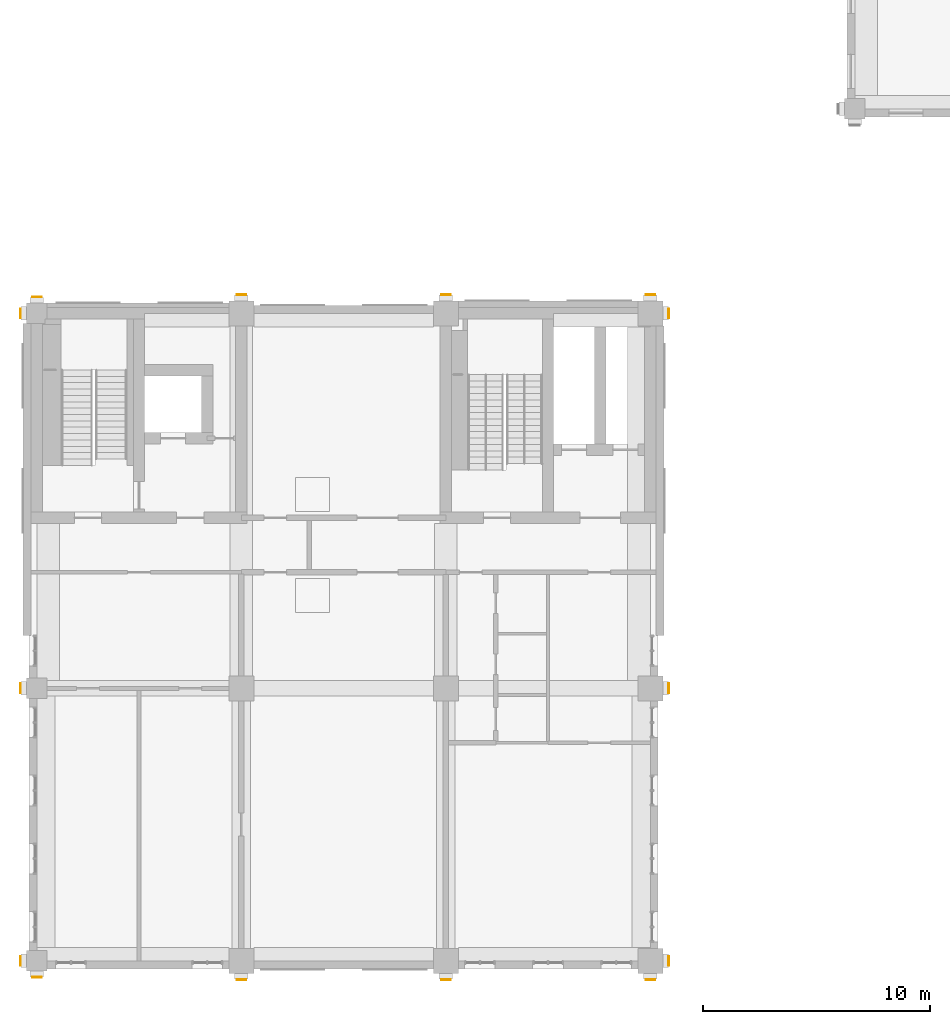
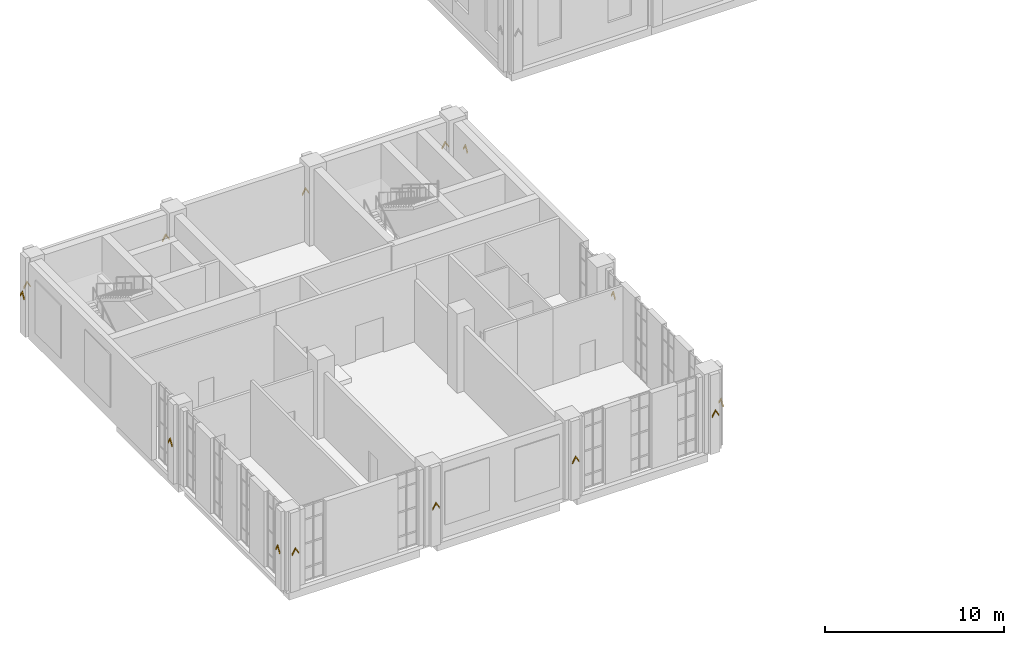
# One storey, part 24 of 25: 14 coverings.
"""IFC4 building model written with IfcOpenShell, lengths in metres."""

from ifc_helpers import new_model, si_unit, direction, frame, origin, place, context, subcontext, project, spatial, polyline, outline, extrude, material, layer, layer_set, type_object, element, save


model = new_model("IFC4")

# Units and contexts
model_context = context("Model", 3, precision=1e-05, world=origin(), true_north=direction((0.0, 1.0)))
body_context = subcontext(model_context, "Body", "Model", "MODEL_VIEW")
ifc_project = project(units=[si_unit("LENGTHUNIT", "METRE"), si_unit("AREAUNIT", "SQUARE_METRE"), si_unit("VOLUMEUNIT", "CUBIC_METRE"), si_unit("PLANEANGLEUNIT", "RADIAN"), si_unit("MASSUNIT", "GRAM", prefix="KILO")], contexts=[model_context])

# Site, building, storey
site_placement = place(None, origin())
site = spatial("IfcSite", under=ifc_project, at=site_placement, CompositionType="ELEMENT")
building_placement = place(site_placement, origin())
building = spatial("IfcBuilding", under=site, at=building_placement, Name="Aurelan Courthouse", CompositionType="ELEMENT")
storey_placement = place(building_placement, frame((0.0, 0.0, 33.60009765625)))
storey = spatial("IfcBuildingStorey", under=building, at=storey_placement, Name="L06", CompositionType="ELEMENT", Elevation=33.60009765625)

# Coverings
ifc_material = material(Name="Bronze sheet cladding")
ifc_layer = layer(ifc_material, 0.0400390625)
ifc_layer_set = layer_set([ifc_layer], Name="Bronze sheet cladding")
covering_type = type_object("IfcCoveringType", Name="Courts' Floors chevron relief 420 x 470", PredefinedType="CLADDING", material=ifc_layer_set)
for number, where, z_axis, x_axis, name in (
    (1, (0.0, -0.699951171875, -33.60009765625), (0.0, -1.0, 0.0), (1.0, 0.0, 0.0), "Chevron relief CH-V5-057"),
    (2, (9.0, -0.800048828125, -33.60009765625), (0.0, -1.0, 0.0), (1.0, 0.0, 0.0), "Chevron relief CH-V5-058"),
    (3, (18.0, -0.800048828125, -33.60009765625), (0.0, -1.0, 0.0), (1.0, 0.0, 0.0), "Chevron relief CH-V5-059"),
    (4, (27.0, -0.800048828125, -33.60009765625), (0.0, -1.0, 0.0), (1.0, 0.0, 0.0), "Chevron relief CH-V5-060"),
    (5, (0.0, 29.199951171875, -33.60009765625), (0.0, 1.0, 0.0), (-1.0, 0.0, 0.0), "Chevron relief CH-V5-061"),
    (6, (9.0, 29.300048828125, -33.60009765625), (0.0, 1.0, 0.0), (-1.0, 0.0, 0.0), "Chevron relief CH-V5-062"),
    (7, (18.0, 29.300048828125, -33.60009765625), (0.0, 1.0, 0.0), (-1.0, 0.0, 0.0), "Chevron relief CH-V5-063"),
    (8, (27.0, 29.300048828125, -33.60009765625), (0.0, 1.0, 0.0), (-1.0, 0.0, 0.0), "Chevron relief CH-V5-064"),
    (9, (27.800048828125, 0.0, -33.60009765625), (1.0, 0.0, 0.0), (0.0, 1.0, 0.0), "Chevron relief CH-V5-065"),
    (10, (27.800048828125, 12.0, -33.60009765625), (1.0, 0.0, 0.0), (0.0, 1.0, 0.0), "Chevron relief CH-V5-066"),
    (11, (27.800048828125, 28.5, -33.60009765625), (1.0, 0.0, 0.0), (0.0, 1.0, 0.0), "Chevron relief CH-V5-067"),
    (12, (-0.699951171875, 0.0, -33.60009765625), (-1.0, 0.0, 0.0), (0.0, -1.0, 0.0), "Chevron relief CH-V5-068"),
    (13, (-0.699951171875, 12.0, -33.60009765625), (-1.0, 0.0, 0.0), (0.0, -1.0, 0.0), "Chevron relief CH-V5-069"),
    (14, (-0.699951171875, 28.5, -33.60009765625), (-1.0, 0.0, 0.0), (0.0, -1.0, 0.0), "Chevron relief CH-V5-070"),
):
    element("IfcCovering", number, at=place(storey_placement, frame(where, z_axis=z_axis, x_axis=x_axis)), inside=storey, type_object=covering_type, Name=name, PredefinedType="CLADDING", context=body_context, shape_type="SweptSolid", body=[
        extrude(outline(polyline([(-0.2099609375, 36.125), (0.0, 36.47509765625), (0.2099609375, 36.125), (0.2099609375, 36.2451171875), (0.0, 36.594970703125), (-0.2099609375, 36.2451171875), (-0.2099609375, 36.125)])), origin(), (0.0, 0.0, 1.0), 0.0400390625),
    ])

save(model, "model.ifc")
